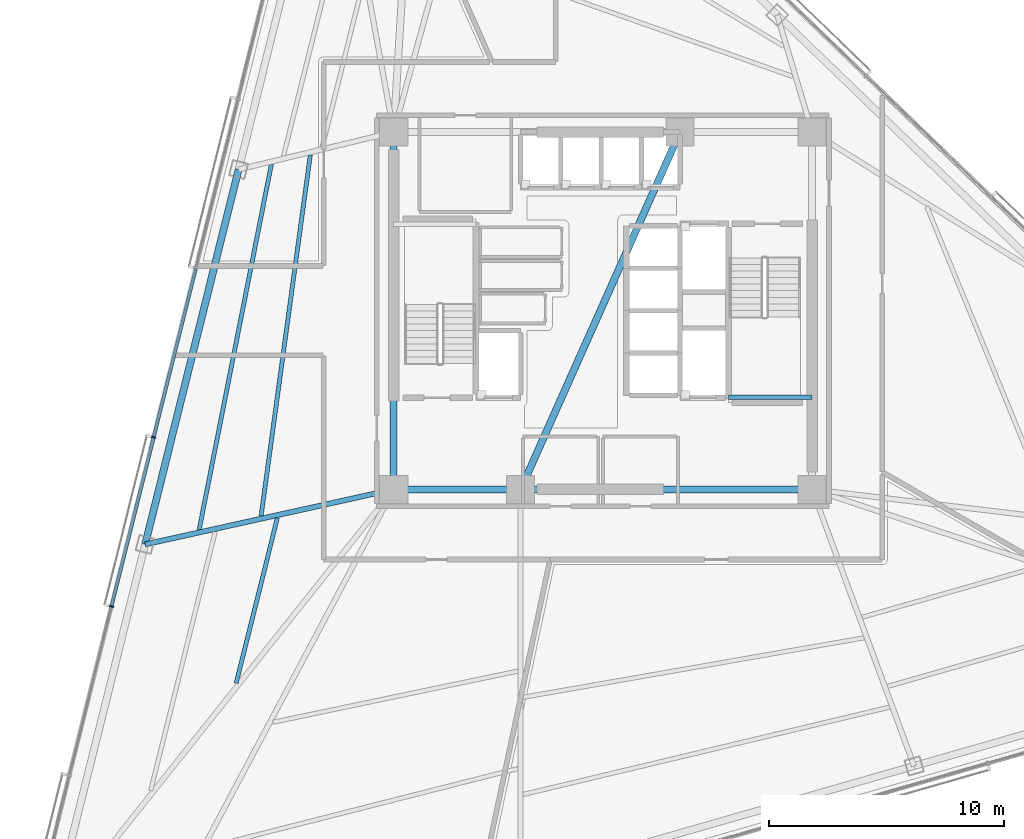
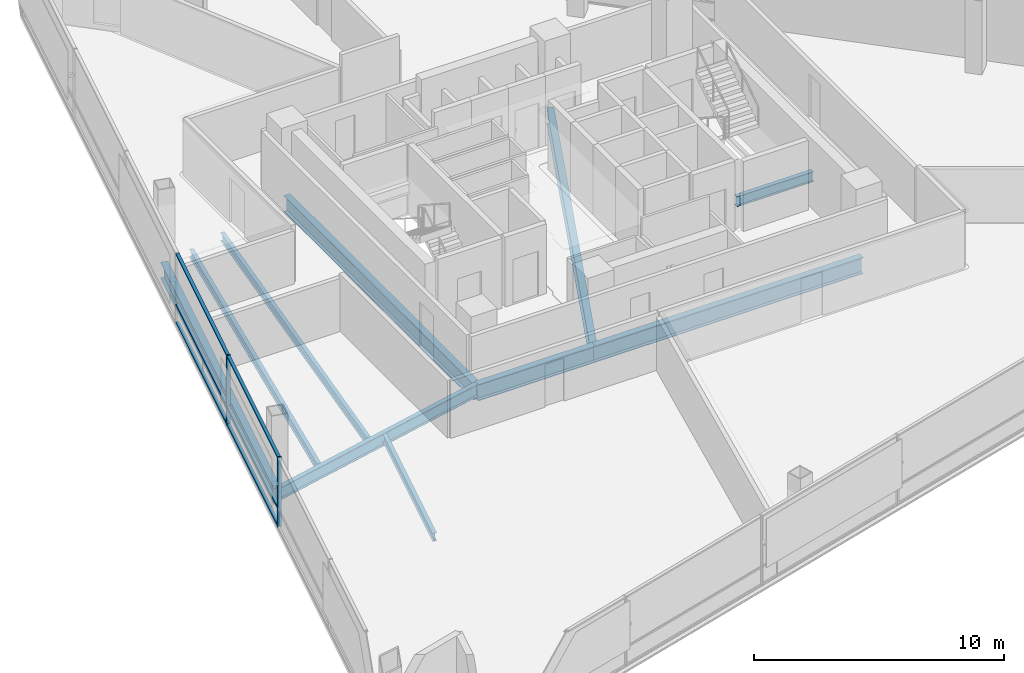
# One storey, part 4 of 16: 10 beams, 8 members, 1 element without a shape of its own.
"""IFC4 building model written with IfcOpenShell, lengths in metres."""

from ifc_helpers import new_model, si_unit, direction, frame, origin, origin_2d, place, context, subcontext, project, spatial, rectangle, i_section, extrude, material, layer, layer_set, material_profile, profile_set, type_object, element, aggregate, save


model = new_model("IFC4")

# Units and contexts
model_context = context("Model", 3, precision=1e-05, world=origin(), true_north=direction((0.0, 1.0)))
body_context = subcontext(model_context, "Body", "Model", "MODEL_VIEW")
ifc_project = project(units=[si_unit("LENGTHUNIT", "METRE"), si_unit("AREAUNIT", "SQUARE_METRE"), si_unit("VOLUMEUNIT", "CUBIC_METRE"), si_unit("PLANEANGLEUNIT", "RADIAN"), si_unit("MASSUNIT", "GRAM", prefix="KILO")], contexts=[model_context])

# Site, building, storey
site_placement = place(None, origin())
site = spatial("IfcSite", under=ifc_project, at=site_placement, CompositionType="ELEMENT")
building_placement = place(site_placement, origin())
building = spatial("IfcBuilding", under=site, at=building_placement, Name="Tharavind Bronze Gate", CompositionType="ELEMENT")
storey_placement = place(building_placement, frame((0.0, 0.0, 104.10009765625)))
storey = spatial("IfcBuildingStorey", under=building, at=storey_placement, Name="L26", CompositionType="ELEMENT", Elevation=104.10009765625)

# Curtain wall, members
ifc_material_1 = material(Name="Anodised Bronze Aluminium", Category="aluminium")
ifc_layer = layer(ifc_material_1, 0.219970703125)
ifc_layer_set = layer_set([ifc_layer], Name="Anodised Bronze Aluminium")
curtain_wall_type = type_object("IfcCurtainWallType", Name="UNITISED CURTAIN WALL LOWER OFFICE", PredefinedType="USERDEFINED", material=ifc_layer_set)
curtain_wall_placement = place(storey_placement, origin())
curtain_wall = element("IfcCurtainWall", 1, at=curtain_wall_placement, inside=storey, type_object=curtain_wall_type, Name="L26 unitised curtain wall lower office CW-L26-S1", ObjectType="UNITISED CURTAIN WALL", PredefinedType="USERDEFINED")
member_type_1 = type_object("IfcMemberType", Name="CURTAIN WALL BRONZE MULLION 65X180", PredefinedType="MULLION", material=ifc_material_1)
member_1_placement = place(storey_placement, frame((-19.1083984375, -5.381591796875, 0.0), z_axis=(0.0, 0.0, 1.0), x_axis=(-0.2419218956, -0.970295726276, 0.0)))
member_1 = element("IfcMember", 2, at=member_1_placement, type_object=member_type_1, Name="CW-L26-S1 mullion 5", PredefinedType="MULLION", context=body_context, shape_type="SweptSolid", body=[
    extrude(rectangle(XDim=0.06494140625, YDim=0.179931640625, at=origin_2d()), origin(), (0.0, 0.0, 1.0), 3.409912109375),
])
member_2_placement = place(storey_placement, frame((-20.902099609375, -12.57568359375, 0.0), z_axis=(0.0, 0.0, 1.0), x_axis=(-0.2419218956, -0.970295726276, 0.0)))
member_2 = element("IfcMember", 3, at=member_2_placement, type_object=member_type_1, Name="CW-L26-S1 mullion 6", PredefinedType="MULLION", context=body_context, shape_type="SweptSolid", body=[
    extrude(rectangle(XDim=0.06494140625, YDim=0.179931640625, at=origin_2d()), origin(), (0.0, 0.0, 1.0), 3.409912109375),
])
member_type_2 = type_object("IfcMemberType", Name="CURTAIN WALL BRONZE TRANSOM 65X140", PredefinedType="USERDEFINED", material=ifc_material_1)
member_3_placement = place(storey_placement, frame((-18.21142578125, -1.78466796875, 0.0), z_axis=(0.0, 0.0, 1.0), x_axis=(-0.2419218956, -0.970295726276, 0.0)))
member_3 = element("IfcMember", 4, at=member_3_placement, type_object=member_type_2, Name="CW-L26-S1 transom TB4", ObjectType="TRANSOM", PredefinedType="USERDEFINED", context=body_context, shape_type="SweptSolid", body=[
    extrude(rectangle(XDim=7.361083984375, YDim=0.139892578125, at=origin_2d()), origin(), (0.0, 0.0, 1.0), 0.06494140625),
])
member_4_placement = place(storey_placement, frame((-18.21142578125, -1.78466796875, 0.867431640625), z_axis=(0.0, 0.0, 1.0), x_axis=(-0.2419218956, -0.970295726276, 0.0)))
member_4 = element("IfcMember", 5, at=member_4_placement, type_object=member_type_2, Name="CW-L26-S1 transom TS4", ObjectType="TRANSOM", PredefinedType="USERDEFINED", context=body_context, shape_type="SweptSolid", body=[
    extrude(rectangle(XDim=7.361083984375, YDim=0.139892578125, at=origin_2d()), origin(), (0.0, 0.0, 1.0), 0.06494140625),
])
member_5_placement = place(storey_placement, frame((-18.21142578125, -1.78466796875, 3.344970703125), z_axis=(0.0, 0.0, 1.0), x_axis=(-0.2419218956, -0.970295726276, 0.0)))
member_5 = element("IfcMember", 6, at=member_5_placement, type_object=member_type_2, Name="CW-L26-S1 transom TT4", ObjectType="TRANSOM", PredefinedType="USERDEFINED", context=body_context, shape_type="SweptSolid", body=[
    extrude(rectangle(XDim=7.361083984375, YDim=0.139892578125, at=origin_2d()), origin(), (0.0, 0.0, 1.0), 0.06494140625),
])
member_6_placement = place(storey_placement, frame((-20.005126953125, -8.978759765625, 0.0), z_axis=(0.0, 0.0, 1.0), x_axis=(-0.2419218956, -0.970295726276, 0.0)))
member_6 = element("IfcMember", 7, at=member_6_placement, type_object=member_type_2, Name="CW-L26-S1 transom TB5", ObjectType="TRANSOM", PredefinedType="USERDEFINED", context=body_context, shape_type="SweptSolid", body=[
    extrude(rectangle(XDim=7.361083984375, YDim=0.139892578125, at=origin_2d()), origin(), (0.0, 0.0, 1.0), 0.06494140625),
])
member_7_placement = place(storey_placement, frame((-20.005126953125, -8.978759765625, 0.867431640625), z_axis=(0.0, 0.0, 1.0), x_axis=(-0.2419218956, -0.970295726276, 0.0)))
member_7 = element("IfcMember", 8, at=member_7_placement, type_object=member_type_2, Name="CW-L26-S1 transom TS5", ObjectType="TRANSOM", PredefinedType="USERDEFINED", context=body_context, shape_type="SweptSolid", body=[
    extrude(rectangle(XDim=7.361083984375, YDim=0.139892578125, at=origin_2d()), origin(), (0.0, 0.0, 1.0), 0.06494140625),
])
member_8_placement = place(storey_placement, frame((-20.005126953125, -8.978759765625, 3.344970703125), z_axis=(0.0, 0.0, 1.0), x_axis=(-0.2419218956, -0.970295726276, 0.0)))
member_8 = element("IfcMember", 9, at=member_8_placement, type_object=member_type_2, Name="CW-L26-S1 transom TT5", ObjectType="TRANSOM", PredefinedType="USERDEFINED", context=body_context, shape_type="SweptSolid", body=[
    extrude(rectangle(XDim=7.361083984375, YDim=0.139892578125, at=origin_2d()), origin(), (0.0, 0.0, 1.0), 0.06494140625),
])
aggregate(curtain_wall, [member_1, member_2, member_3, member_4, member_5, member_6, member_7, member_8])

# Beams
ifc_material_2 = material(Name="Steel S355", Category="steel")
ifc_material_profile_1 = material_profile(ifc_material_2, i_section(OverallWidth=0.199951171875, OverallDepth=0.5, WebThickness=0.01025390625, FlangeThickness=0.01611328125, at=origin_2d()), Name="IPE500")
ifc_profile_set_1 = profile_set([ifc_material_profile_1], Name="Steel S355")
beam_type_1 = type_object("IfcBeamType", Name="PRIMARY GIRDER IPE500", PredefinedType="USERDEFINED", material=ifc_profile_set_1)
beam_1_placement = place(storey_placement, frame((5.35009765625, -3.679931640625, 1.349853515625), z_axis=(1.0, 0.0, 0.0), x_axis=(0.0, 1.0, 0.0)))
element("IfcBeam", 10, at=beam_1_placement, inside=storey, type_object=beam_type_1, Name="L26 primary girder ipe500 BM-LD-ST2-L26-1", ObjectType="GIRDER", PredefinedType="USERDEFINED", context=body_context, shape_type="SweptSolid", body=[
    extrude(i_section(OverallWidth=0.199951171875, OverallDepth=0.5, WebThickness=0.01025390625, FlangeThickness=0.01611328125, at=origin_2d()), origin(), (0.0, 0.0, 1.0), 3.5498046875),
])
ifc_material_profile_2 = material_profile(ifc_material_2, i_section(OverallWidth=0.219970703125, OverallDepth=0.60009765625, WebThickness=0.011962890625, FlangeThickness=0.01904296875, at=origin_2d()), Name="IPE600")
ifc_profile_set_2 = profile_set([ifc_material_profile_2], Name="Steel S355")
beam_type_2 = type_object("IfcBeamType", Name="PRIMARY GIRDER IPE600", PredefinedType="USERDEFINED", material=ifc_profile_set_2)
beam_2_placement = place(storey_placement, frame((-19.4716796875, -9.93896484375, -0.489990234375), z_axis=(0.97639036101, 0.216013571162, 0.0), x_axis=(-0.216013571162, 0.97639036101, 0.0)))
element("IfcBeam", 11, at=beam_2_placement, inside=storey, type_object=beam_type_2, Name="L26 primary girder ipe600 BM-L26-RAD03", ObjectType="GIRDER", PredefinedType="USERDEFINED", context=body_context, shape_type="SweptSolid", body=[
    extrude(i_section(OverallWidth=0.219970703125, OverallDepth=0.60009765625, WebThickness=0.011962890625, FlangeThickness=0.01904296875, at=origin_2d()), origin(), (0.0, 0.0, 1.0), 10.827392578125),
])
ifc_material_profile_3 = material_profile(ifc_material_2, i_section(OverallWidth=0.300048828125, OverallDepth=0.800048828125, WebThickness=0.017578125, FlangeThickness=0.032958984375, at=origin_2d()), Name="HE800B")
ifc_profile_set_3 = profile_set([ifc_material_profile_3], Name="Steel S355")
beam_type_3 = type_object("IfcBeamType", Name="RING GIRDER HE800B", PredefinedType="USERDEFINED", material=ifc_profile_set_3)
beam_3_placement = place(storey_placement, frame((-8.89990234375, -7.60009765625, -0.590087890625), z_axis=(1.0, 0.0, 0.0), x_axis=(0.0, 1.0, 0.0)))
element("IfcBeam", 12, at=beam_3_placement, inside=storey, type_object=beam_type_3, Name="L26 ring girder he800b BM-L26-CR1", ObjectType="GIRDER", PredefinedType="USERDEFINED", context=body_context, shape_type="SweptSolid", body=[
    extrude(i_section(OverallWidth=0.300048828125, OverallDepth=0.800048828125, WebThickness=0.017578125, FlangeThickness=0.032958984375, at=origin_2d()), origin(), (0.0, 0.0, 1.0), 5.39990234375),
])
beam_4_placement = place(storey_placement, frame((-3.5, -7.60009765625, -0.590087890625), z_axis=(1.0, 0.0, 0.0), x_axis=(0.0, 1.0, 0.0)))
element("IfcBeam", 13, at=beam_4_placement, inside=storey, type_object=beam_type_3, Name="L26 ring girder he800b BM-L26-CR2", ObjectType="GIRDER", PredefinedType="USERDEFINED", context=body_context, shape_type="SweptSolid", body=[
    extrude(i_section(OverallWidth=0.300048828125, OverallDepth=0.800048828125, WebThickness=0.017578125, FlangeThickness=0.032958984375, at=origin_2d()), origin(), (0.0, 0.0, 1.0), 12.39990234375),
])
beam_5_placement = place(storey_placement, frame((-8.89990234375, 7.60009765625, -0.590087890625), z_axis=(0.0, -1.0, 0.0), x_axis=(1.0, 0.0, 0.0)))
element("IfcBeam", 14, at=beam_5_placement, inside=storey, type_object=beam_type_3, Name="L26 ring girder he800b BM-L26-CR6", ObjectType="GIRDER", PredefinedType="USERDEFINED", context=body_context, shape_type="SweptSolid", body=[
    extrude(i_section(OverallWidth=0.300048828125, OverallDepth=0.800048828125, WebThickness=0.017578125, FlangeThickness=0.032958984375, at=origin_2d()), origin(), (0.0, 0.0, 1.0), 15.2001953125),
])
beam_6_placement = place(storey_placement, frame((-3.5, -7.60009765625, -0.590087890625), z_axis=(0.407361644566, 0.913266932795, 0.0), x_axis=(-0.913266932795, 0.407361644566, 0.0)))
element("IfcBeam", 15, at=beam_6_placement, inside=storey, type_object=beam_type_3, Name="L26 ring girder he800b BM-L26-CR7", ObjectType="GIRDER", PredefinedType="USERDEFINED", context=body_context, shape_type="SweptSolid", body=[
    extrude(i_section(OverallWidth=0.300048828125, OverallDepth=0.800048828125, WebThickness=0.017578125, FlangeThickness=0.032958984375, at=origin_2d()), origin(), (0.0, 0.0, 1.0), 16.643798828125),
])
beam_7_placement = place(storey_placement, frame((-15.495849609375, 6.006591796875, -0.590087890625), z_axis=(-0.241930849107, -0.970293493872, 0.0), x_axis=(0.970293493872, -0.241930849107, 0.0)))
element("IfcBeam", 16, at=beam_7_placement, inside=storey, type_object=beam_type_3, Name="L26 ring girder he800b BM-L26-PRG02", ObjectType="GIRDER", PredefinedType="USERDEFINED", context=body_context, shape_type="SweptSolid", body=[
    extrude(i_section(OverallWidth=0.300048828125, OverallDepth=0.800048828125, WebThickness=0.017578125, FlangeThickness=0.032958984375, at=origin_2d()), origin(), (0.0, 0.0, 1.0), 16.433837890625),
])
ifc_material_profile_4 = material_profile(ifc_material_2, i_section(OverallWidth=0.179931640625, OverallDepth=0.39990234375, WebThickness=0.008544921875, FlangeThickness=0.013427734375, at=origin_2d()), Name="IPE400")
ifc_profile_set_4 = profile_set([ifc_material_profile_4], Name="Steel S355")
beam_type_4 = type_object("IfcBeamType", Name="SECONDARY FLOOR JOIST IPE400", PredefinedType="JOIST", material=ifc_profile_set_4)
beam_8_placement = place(storey_placement, frame((-12.4453125, 6.626708984375, -0.39013671875), z_axis=(-0.135096335488, -0.99083246825, 0.0), x_axis=(0.99083246825, -0.135096335488, 0.0)))
element("IfcBeam", 17, at=beam_8_placement, inside=storey, type_object=beam_type_4, Name="L26 secondary floor joist ipe400 BM-L26-JSTA02", PredefinedType="JOIST", context=body_context, shape_type="SweptSolid", body=[
    extrude(i_section(OverallWidth=0.179931640625, OverallDepth=0.39990234375, WebThickness=0.008544921875, FlangeThickness=0.013427734375, at=origin_2d()), origin(), (0.0, 0.0, 1.0), 15.5),
])
beam_9_placement = place(storey_placement, frame((-14.10205078125, 6.2265625, -0.39013671875), z_axis=(-0.193949205751, -0.981011572607, 0.0), x_axis=(0.981011572607, -0.193949205751, 0.0)))
element("IfcBeam", 18, at=beam_9_placement, inside=storey, type_object=beam_type_4, Name="L26 secondary floor joist ipe400 BM-L26-JSTB02", PredefinedType="JOIST", context=body_context, shape_type="SweptSolid", body=[
    extrude(i_section(OverallWidth=0.179931640625, OverallDepth=0.39990234375, WebThickness=0.008544921875, FlangeThickness=0.013427734375, at=origin_2d()), origin(), (0.0, 0.0, 1.0), 15.841796875),
])
beam_10_placement = place(storey_placement, frame((-13.846435546875, -8.810791015625, -0.39013671875), z_axis=(-0.241933025088, -0.970292951315, 0.0), x_axis=(0.970292951315, -0.241933025088, 0.0)))
element("IfcBeam", 19, at=beam_10_placement, inside=storey, type_object=beam_type_4, Name="L26 secondary floor joist ipe400 BM-L26-JSTA03", PredefinedType="JOIST", context=body_context, shape_type="SweptSolid", body=[
    extrude(i_section(OverallWidth=0.179931640625, OverallDepth=0.39990234375, WebThickness=0.008544921875, FlangeThickness=0.013427734375, at=origin_2d()), origin(), (0.0, 0.0, 1.0), 7.24560546875),
])

save(model, "model.ifc")
